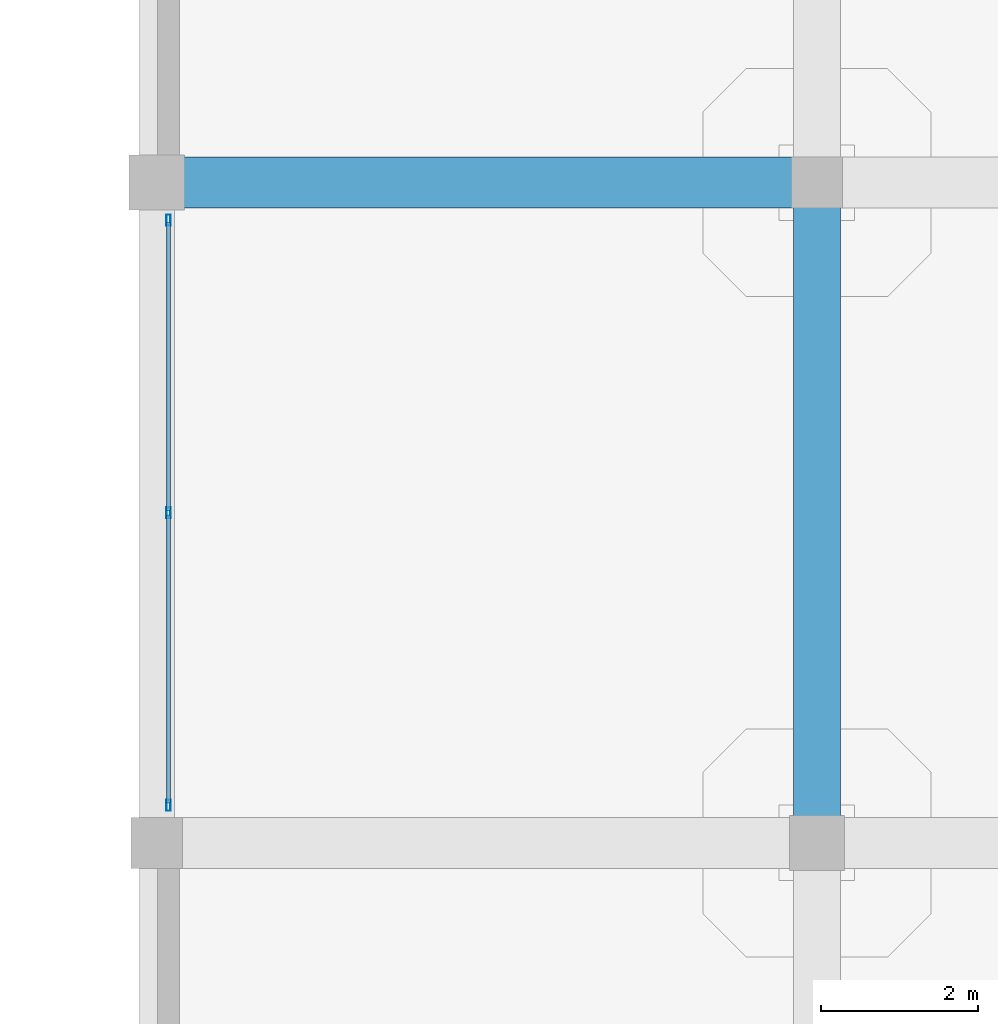
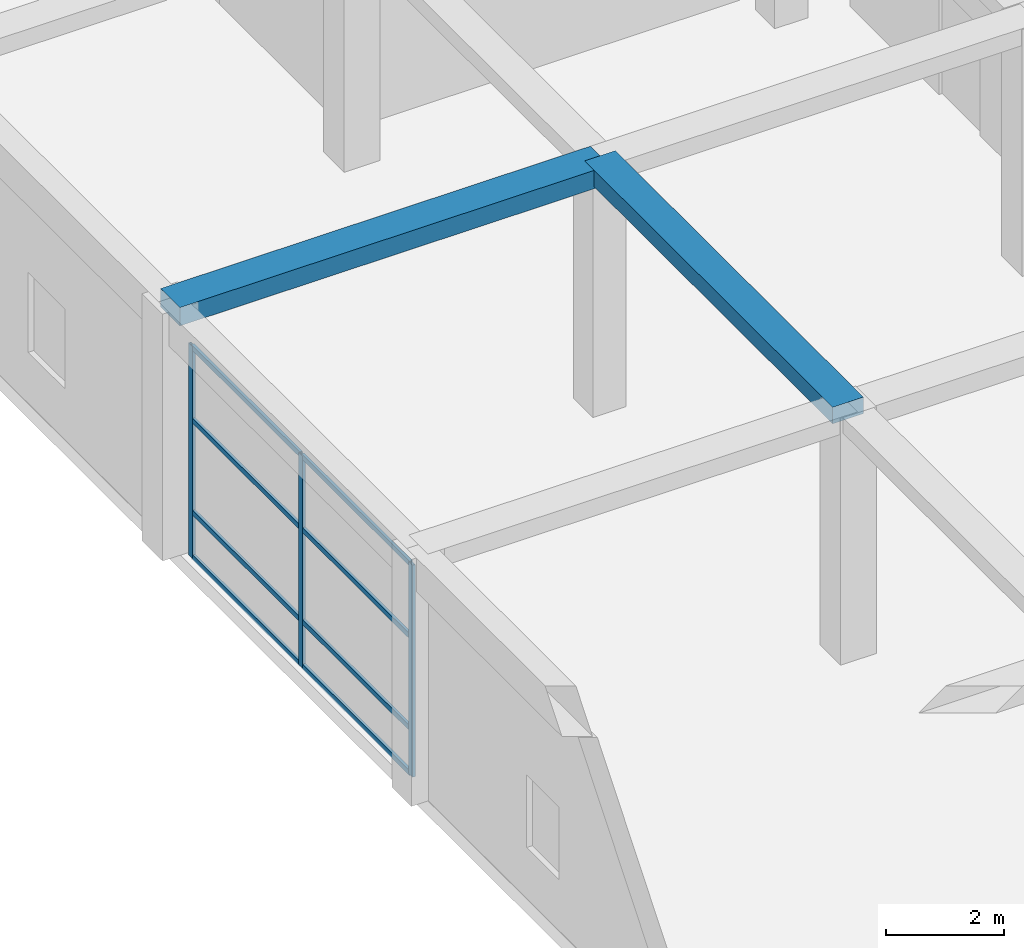
# One storey, part 19 of 65: 11 members, 2 beams, 1 element without a shape of its own.
"""IFC4 building model written with IfcOpenShell, lengths in metres."""

from ifc_helpers import new_model, si_unit, direction, frame, origin, origin_2d, place, context, subcontext, project, spatial, rectangle, hollow_rectangle, extrude, material, material_profile, profile_set, type_object, element, aggregate, save


model = new_model("IFC4")

# Units and contexts
model_context = context("Model", 3, precision=1e-05, world=origin(), true_north=direction((0.0, 1.0)))
body_context = subcontext(model_context, "Body", "Model", "MODEL_VIEW")
ifc_project = project(units=[si_unit("LENGTHUNIT", "METRE"), si_unit("AREAUNIT", "SQUARE_METRE"), si_unit("VOLUMEUNIT", "CUBIC_METRE"), si_unit("PLANEANGLEUNIT", "RADIAN"), si_unit("MASSUNIT", "GRAM", prefix="KILO")], contexts=[model_context])

# Site, building, storey
site_placement = place(None, origin())
site = spatial("IfcSite", under=ifc_project, at=site_placement, CompositionType="ELEMENT")
building_placement = place(site_placement, origin())
building = spatial("IfcBuilding", under=site, at=building_placement, Name="Almacenes y Pasaje Nevantli", CompositionType="ELEMENT")
storey_placement = place(building_placement, frame((0.0, 0.0, 16.800048828125)))
storey = spatial("IfcBuildingStorey", under=building, at=storey_placement, Name="L04", CompositionType="ELEMENT", Elevation=16.800048828125)

# Beams
ifc_material_1 = material(Name="Concrete C35/45", Category="concrete")
ifc_material_profile_1 = material_profile(ifc_material_1, rectangle(XDim=0.60009765625, YDim=0.340087890625, at=origin_2d()), Name="RC-BM-600x340")
ifc_profile_set_1 = profile_set([ifc_material_profile_1], Name="Concrete C35/45")
beam_type_1 = type_object("IfcBeamType", Name="BM-RC-600x340", PredefinedType="BEAM", material=ifc_profile_set_1)
beam_1_placement = place(storey_placement, frame((8.39990234375, 75.60009765625, 4.929931640625), z_axis=(0.0, 1.0, 0.0), x_axis=(-1.0, 0.0, 0.0)))
element("IfcBeam", 1, at=beam_1_placement, inside=storey, type_object=beam_type_1, Name="L04 North-South Reinforced Concrete Beam #3010", PredefinedType="BEAM", context=body_context, shape_type="SweptSolid", body=[
    extrude(rectangle(XDim=0.60009765625, YDim=0.340087890625, at=origin_2d()), origin(), (0.0, 0.0, 1.0), 8.39990234375),
])
ifc_material_2 = material(Name="Concrete C35/45", Category="concrete")
ifc_material_profile_2 = material_profile(ifc_material_2, rectangle(XDim=0.64990234375, YDim=0.3798828125, at=origin_2d()), Name="RC-BM-650x380")
ifc_profile_set_2 = profile_set([ifc_material_profile_2], Name="Concrete C35/45")
beam_type_2 = type_object("IfcBeamType", Name="BM-RC-650x380", PredefinedType="BEAM", material=ifc_profile_set_2)
beam_2_placement = place(storey_placement, frame((0.0, 84.0, 4.909912109375), z_axis=(1.0, 0.0, 0.0), x_axis=(0.0, 1.0, 0.0)))
element("IfcBeam", 2, at=beam_2_placement, inside=storey, type_object=beam_type_2, Name="L04 East-West Reinforced Concrete Beam #2905", PredefinedType="BEAM", context=body_context, shape_type="SweptSolid", body=[
    extrude(rectangle(XDim=0.64990234375, YDim=0.3798828125, at=origin_2d()), origin(), (0.0, 0.0, 1.0), 8.39990234375),
])

# Curtain wall, members
ifc_material_3 = material(Name="Thermally Broken Aluminium and Low-E Glass", Category="aluminium")
curtain_wall_type = type_object("IfcCurtainWallType", Name="CW-UNIT-PODIUM", PredefinedType="USERDEFINED", material=ifc_material_3)
curtain_wall_placement = place(storey_placement, origin())
curtain_wall = element("IfcCurtainWall", 3, at=curtain_wall_placement, inside=storey, type_object=curtain_wall_type, Name="L04 West Avenue Unitized Curtain Wall Bay 10", ObjectType="UNITIZED CURTAIN WALL", PredefinedType="USERDEFINED")
ifc_material_4 = material(Name="Thermally Broken Anodized Aluminium", Category="aluminium")
ifc_material_profile_3 = material_profile(ifc_material_4, hollow_rectangle(XDim=0.054931640625, YDim=0.139892578125, WallThickness=0.00341796875, at=origin_2d()), Name="ALU-MUL-55x140")
ifc_profile_set_3 = profile_set([ifc_material_profile_3], Name="Thermally Broken Anodized Aluminium")
member_type_1 = type_object("IfcMemberType", Name="CW-MUL-160", PredefinedType="MULLION", material=ifc_profile_set_3)
member_1_placement = place(storey_placement, frame((0.14990234375, 76.077392578125, 0.0), z_axis=(0.0, 0.0, 1.0), x_axis=(-1.0, 0.0, 0.0)))
member_1 = element("IfcMember", 4, at=member_1_placement, type_object=member_type_1, Name="CW-L04-076 mullion 1", PredefinedType="MULLION", context=body_context, shape_type="SweptSolid", body=[
    extrude(hollow_rectangle(XDim=0.054931640625, YDim=0.139892578125, WallThickness=0.00341796875, at=origin_2d()), origin(), (0.0, 0.0, 1.0), 4.3798828125),
])
member_2_placement = place(storey_placement, frame((0.14990234375, 79.800048828125, 0.0), z_axis=(0.0, 0.0, 1.0), x_axis=(-1.0, 0.0, 0.0)))
member_2 = element("IfcMember", 5, at=member_2_placement, type_object=member_type_1, Name="CW-L04-076 mullion 2", PredefinedType="MULLION", context=body_context, shape_type="SweptSolid", body=[
    extrude(hollow_rectangle(XDim=0.054931640625, YDim=0.139892578125, WallThickness=0.00341796875, at=origin_2d()), origin(), (0.0, 0.0, 1.0), 4.3798828125),
])
member_3_placement = place(storey_placement, frame((0.14990234375, 83.5224609375, 0.0), z_axis=(0.0, 0.0, 1.0), x_axis=(-1.0, 0.0, 0.0)))
member_3 = element("IfcMember", 6, at=member_3_placement, type_object=member_type_1, Name="CW-L04-076 mullion 3", PredefinedType="MULLION", context=body_context, shape_type="SweptSolid", body=[
    extrude(hollow_rectangle(XDim=0.054931640625, YDim=0.139892578125, WallThickness=0.00341796875, at=origin_2d()), origin(), (0.0, 0.0, 1.0), 4.3798828125),
])
ifc_material_5 = material(Name="Thermally Broken Anodized Aluminium", Category="aluminium")
ifc_material_profile_4 = material_profile(ifc_material_5, hollow_rectangle(XDim=0.054931640625, YDim=0.10498046875, WallThickness=0.003173828125, at=origin_2d()), Name="ALU-TRN-55x105")
ifc_profile_set_4 = profile_set([ifc_material_profile_4], Name="Thermally Broken Anodized Aluminium")
member_type_2 = type_object("IfcMemberType", Name="CW-TRN-120", PredefinedType="USERDEFINED", material=ifc_profile_set_4)
member_4_placement = place(storey_placement, frame((0.14990234375, 76.10498046875, 0.02734375), z_axis=(0.0, 1.0, 0.0), x_axis=(-1.0, 0.0, 0.0)))
member_4 = element("IfcMember", 7, at=member_4_placement, type_object=member_type_2, Name="CW-L04-076 transom 1.1", ObjectType="TRANSOM", PredefinedType="USERDEFINED", context=body_context, shape_type="SweptSolid", body=[
    extrude(hollow_rectangle(XDim=0.054931640625, YDim=0.10498046875, WallThickness=0.003173828125, at=origin_2d()), origin(), (0.0, 0.0, 1.0), 3.66748046875),
])
member_5_placement = place(storey_placement, frame((0.14990234375, 76.10498046875, 0.949951171875), z_axis=(0.0, 1.0, 0.0), x_axis=(-1.0, 0.0, 0.0)))
member_5 = element("IfcMember", 8, at=member_5_placement, type_object=member_type_2, Name="CW-L04-076 transom 1.2", ObjectType="TRANSOM", PredefinedType="USERDEFINED", context=body_context, shape_type="SweptSolid", body=[
    extrude(hollow_rectangle(XDim=0.054931640625, YDim=0.10498046875, WallThickness=0.003173828125, at=origin_2d()), origin(), (0.0, 0.0, 1.0), 3.66748046875),
])
member_6_placement = place(storey_placement, frame((0.14990234375, 76.10498046875, 2.849853515625), z_axis=(0.0, 1.0, 0.0), x_axis=(-1.0, 0.0, 0.0)))
member_6 = element("IfcMember", 9, at=member_6_placement, type_object=member_type_2, Name="CW-L04-076 transom 1.3", ObjectType="TRANSOM", PredefinedType="USERDEFINED", context=body_context, shape_type="SweptSolid", body=[
    extrude(hollow_rectangle(XDim=0.054931640625, YDim=0.10498046875, WallThickness=0.003173828125, at=origin_2d()), origin(), (0.0, 0.0, 1.0), 3.66748046875),
])
member_7_placement = place(storey_placement, frame((0.14990234375, 76.10498046875, 4.3525390625), z_axis=(0.0, 1.0, 0.0), x_axis=(-1.0, 0.0, 0.0)))
member_7 = element("IfcMember", 10, at=member_7_placement, type_object=member_type_2, Name="CW-L04-076 transom 1.4", ObjectType="TRANSOM", PredefinedType="USERDEFINED", context=body_context, shape_type="SweptSolid", body=[
    extrude(hollow_rectangle(XDim=0.054931640625, YDim=0.10498046875, WallThickness=0.003173828125, at=origin_2d()), origin(), (0.0, 0.0, 1.0), 3.66748046875),
])
member_8_placement = place(storey_placement, frame((0.14990234375, 79.827392578125, 0.02734375), z_axis=(0.0, 1.0, 0.0), x_axis=(-1.0, 0.0, 0.0)))
member_8 = element("IfcMember", 11, at=member_8_placement, type_object=member_type_2, Name="CW-L04-076 transom 2.1", ObjectType="TRANSOM", PredefinedType="USERDEFINED", context=body_context, shape_type="SweptSolid", body=[
    extrude(hollow_rectangle(XDim=0.054931640625, YDim=0.10498046875, WallThickness=0.003173828125, at=origin_2d()), origin(), (0.0, 0.0, 1.0), 3.667724609375),
])
member_9_placement = place(storey_placement, frame((0.14990234375, 79.827392578125, 0.949951171875), z_axis=(0.0, 1.0, 0.0), x_axis=(-1.0, 0.0, 0.0)))
member_9 = element("IfcMember", 12, at=member_9_placement, type_object=member_type_2, Name="CW-L04-076 transom 2.2", ObjectType="TRANSOM", PredefinedType="USERDEFINED", context=body_context, shape_type="SweptSolid", body=[
    extrude(hollow_rectangle(XDim=0.054931640625, YDim=0.10498046875, WallThickness=0.003173828125, at=origin_2d()), origin(), (0.0, 0.0, 1.0), 3.667724609375),
])
member_10_placement = place(storey_placement, frame((0.14990234375, 79.827392578125, 2.849853515625), z_axis=(0.0, 1.0, 0.0), x_axis=(-1.0, 0.0, 0.0)))
member_10 = element("IfcMember", 13, at=member_10_placement, type_object=member_type_2, Name="CW-L04-076 transom 2.3", ObjectType="TRANSOM", PredefinedType="USERDEFINED", context=body_context, shape_type="SweptSolid", body=[
    extrude(hollow_rectangle(XDim=0.054931640625, YDim=0.10498046875, WallThickness=0.003173828125, at=origin_2d()), origin(), (0.0, 0.0, 1.0), 3.667724609375),
])
member_11_placement = place(storey_placement, frame((0.14990234375, 79.827392578125, 4.3525390625), z_axis=(0.0, 1.0, 0.0), x_axis=(-1.0, 0.0, 0.0)))
member_11 = element("IfcMember", 14, at=member_11_placement, type_object=member_type_2, Name="CW-L04-076 transom 2.4", ObjectType="TRANSOM", PredefinedType="USERDEFINED", context=body_context, shape_type="SweptSolid", body=[
    extrude(hollow_rectangle(XDim=0.054931640625, YDim=0.10498046875, WallThickness=0.003173828125, at=origin_2d()), origin(), (0.0, 0.0, 1.0), 3.667724609375),
])
aggregate(curtain_wall, [member_1, member_2, member_3, member_4, member_5, member_6, member_7, member_8, member_9, member_10, member_11])

save(model, "model.ifc")
